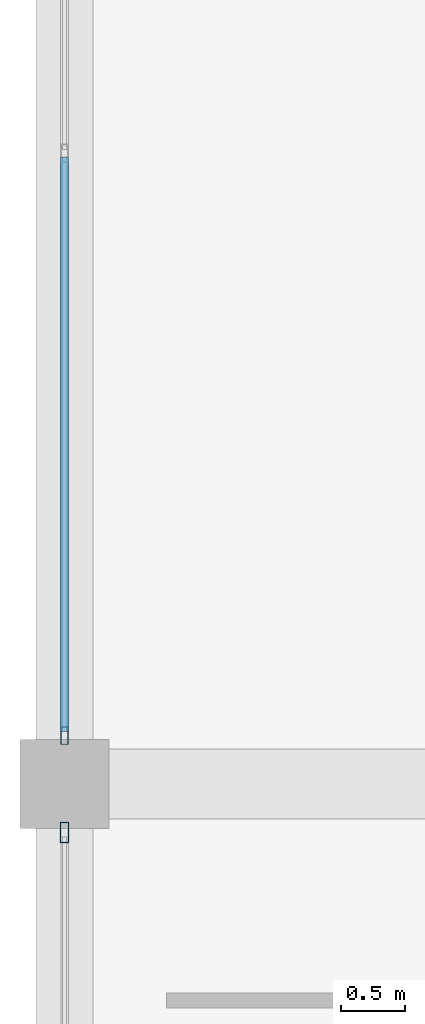
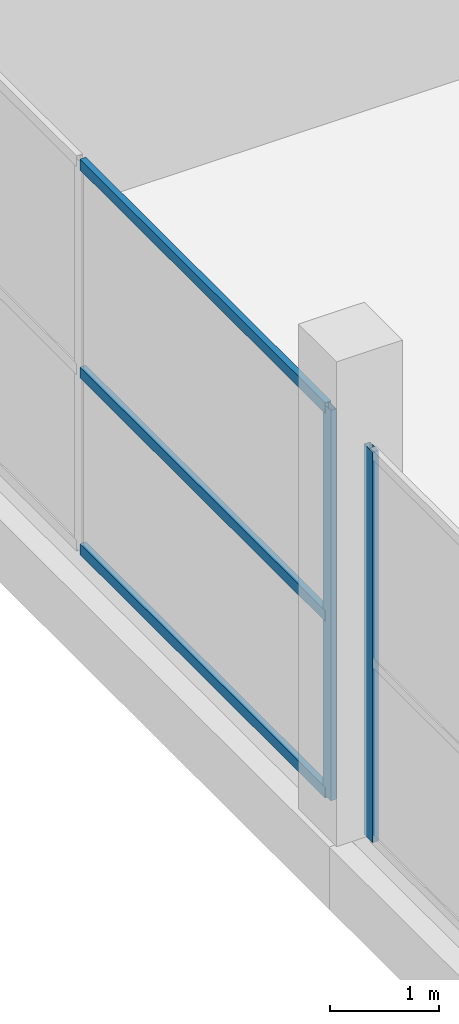
# One storey, part 25 of 72: 5 members, 2 elements without a shape of their own.
"""IFC4 building model written with IfcOpenShell, lengths in metres."""

from ifc_helpers import new_model, si_unit, direction, frame, origin, origin_2d, place, context, subcontext, project, spatial, hollow_rectangle, extrude, material, layer, layer_set, material_profile, profile_set, type_object, element, aggregate, save


model = new_model("IFC4")

# Units and contexts
model_context = context("Model", 3, precision=1e-05, world=origin(), true_north=direction((0.0, 1.0)))
body_context = subcontext(model_context, "Body", "Model", "MODEL_VIEW")
ifc_project = project(units=[si_unit("LENGTHUNIT", "METRE"), si_unit("AREAUNIT", "SQUARE_METRE"), si_unit("VOLUMEUNIT", "CUBIC_METRE"), si_unit("PLANEANGLEUNIT", "RADIAN"), si_unit("MASSUNIT", "GRAM", prefix="KILO")], contexts=[model_context])

# Site, building, storey
site_placement = place(None, origin())
site = spatial("IfcSite", under=ifc_project, at=site_placement, CompositionType="ELEMENT")
building_placement = place(site_placement, origin())
building = spatial("IfcBuilding", under=site, at=building_placement, Name="Sillaruma Civic Art Gallery", CompositionType="ELEMENT")
storey_placement = place(building_placement, frame((0.0, 0.0, 10.8798828125)))
storey = spatial("IfcBuildingStorey", under=building, at=storey_placement, Name="L02", CompositionType="ELEMENT", Elevation=10.8798828125)

# Curtain wall, member
ifc_material = material(Name="Thermally Broken Extruded Aluminium 6063-T6", Category="aluminium")
ifc_layer_1 = layer(ifc_material, 0.139892578125, Name="Thermally Broken Extruded Aluminium 6063-T6")
ifc_layer_set_1 = layer_set([ifc_layer_1], Name="Thermally Broken Extruded Aluminium 6063-T6")
curtain_wall_type_1 = type_object("IfcCurtainWallType", Name="CW-UNI-11", PredefinedType="NOTDEFINED", material=ifc_layer_set_1)
curtain_wall_1_placement = place(storey_placement, origin())
curtain_wall_1 = element("IfcCurtainWall", 1, at=curtain_wall_1_placement, inside=storey, type_object=curtain_wall_type_1, Name="Unitised Curtain Wall CW-11 (CW-L02-WSTR-4)", PredefinedType="NOTDEFINED")
ifc_material_profile_1 = material_profile(ifc_material, hollow_rectangle(XDim=0.06005859375, YDim=0.139892578125, WallThickness=0.00341796875, at=origin_2d()), Name="CWM60x140")
ifc_profile_set_1 = profile_set([ifc_material_profile_1], Name="Thermally Broken Extruded Aluminium 6063-T6")
member_type_1 = type_object("IfcMemberType", Name="MEM-MUL-CWM60x140", PredefinedType="MULLION", material=ifc_profile_set_1)
member_1_placement = place(storey_placement, frame((0.0, 109.280029296875, 0.0), z_axis=(0.0, 0.0, 1.0), x_axis=(-1.0, 0.0, 0.0)))
member_1 = element("IfcMember", 2, at=member_1_placement, type_object=member_type_1, Name="CW-11 mullion 1", PredefinedType="MULLION", context=body_context, shape_type="SweptSolid", body=[
    extrude(hollow_rectangle(XDim=0.06005859375, YDim=0.139892578125, WallThickness=0.00341796875, at=origin_2d()), origin(), (0.0, 0.0, 1.0), 4.380126953125),
])

ifc_layer_2 = layer(ifc_material, 0.159912109375, Name="Thermally Broken Extruded Aluminium 6063-T6")
ifc_layer_set_2 = layer_set([ifc_layer_2], Name="Thermally Broken Extruded Aluminium 6063-T6")
curtain_wall_type_2 = type_object("IfcCurtainWallType", Name="CW-UNI-10", PredefinedType="NOTDEFINED", material=ifc_layer_set_2)
curtain_wall_2_placement = place(storey_placement, origin())
curtain_wall_2 = element("IfcCurtainWall", 3, at=curtain_wall_2_placement, inside=storey, type_object=curtain_wall_type_2, Name="Unitised Curtain Wall CW-10 (CW-L02-WSTR-3)", PredefinedType="NOTDEFINED")
ifc_material_profile_2 = material_profile(ifc_material, hollow_rectangle(XDim=0.06494140625, YDim=0.159912109375, WallThickness=0.00390625, at=origin_2d()), Name="CWM65x160")
ifc_profile_set_2 = profile_set([ifc_material_profile_2], Name="Thermally Broken Extruded Aluminium 6063-T6")
member_type_2 = type_object("IfcMemberType", Name="MEM-MUL-CWM65x160", PredefinedType="MULLION", material=ifc_profile_set_2)
member_2_placement = place(storey_placement, frame((0.0, 108.517578125, 0.0), z_axis=(0.0, 0.0, 1.0), x_axis=(-1.0, 0.0, 0.0)))
member_2 = element("IfcMember", 4, at=member_2_placement, type_object=member_type_2, Name="CW-10 mullion 3", PredefinedType="MULLION", context=body_context, shape_type="SweptSolid", body=[
    extrude(hollow_rectangle(XDim=0.06494140625, YDim=0.159912109375, WallThickness=0.00390625, at=origin_2d()), origin(), (0.0, 0.0, 1.0), 4.380126953125),
])
aggregate(curtain_wall_2, [member_2])

# Member
ifc_material_profile_3 = material_profile(ifc_material, hollow_rectangle(XDim=0.06494140625, YDim=0.1201171875, WallThickness=0.00341796875, at=origin_2d()), Name="CWT65x120")
ifc_profile_set_3 = profile_set([ifc_material_profile_3], Name="Thermally Broken Extruded Aluminium 6063-T6")
member_type_3 = type_object("IfcMemberType", Name="MEM-TRN-CWT65x120", PredefinedType="USERDEFINED", material=ifc_profile_set_3)
member_3_placement = place(storey_placement, frame((0.0, 109.31005859375, 0.03271484375), z_axis=(0.0, 1.0, 0.0), x_axis=(-1.0, 0.0, 0.0)))
member_3 = element("IfcMember", 5, at=member_3_placement, type_object=member_type_3, Name="CW-11 transom 1.1", ObjectType="TRANSOM", PredefinedType="USERDEFINED", context=body_context, shape_type="SweptSolid", body=[
    extrude(hollow_rectangle(XDim=0.06494140625, YDim=0.1201171875, WallThickness=0.00341796875, at=origin_2d()), origin(), (0.0, 0.0, 1.0), 4.510009765625),
])

member_4_placement = place(storey_placement, frame((0.0, 109.31005859375, 2.014892578125), z_axis=(0.0, 1.0, 0.0), x_axis=(-1.0, 0.0, 0.0)))
member_4 = element("IfcMember", 6, at=member_4_placement, type_object=member_type_3, Name="CW-11 transom 1.2", ObjectType="TRANSOM", PredefinedType="USERDEFINED", context=body_context, shape_type="SweptSolid", body=[
    extrude(hollow_rectangle(XDim=0.06494140625, YDim=0.1201171875, WallThickness=0.00341796875, at=origin_2d()), origin(), (0.0, 0.0, 1.0), 4.510009765625),
])

member_5_placement = place(storey_placement, frame((0.0, 109.31005859375, 4.34765625), z_axis=(0.0, 1.0, 0.0), x_axis=(-1.0, 0.0, 0.0)))
member_5 = element("IfcMember", 7, at=member_5_placement, type_object=member_type_3, Name="CW-11 transom 1.3", ObjectType="TRANSOM", PredefinedType="USERDEFINED", context=body_context, shape_type="SweptSolid", body=[
    extrude(hollow_rectangle(XDim=0.06494140625, YDim=0.1201171875, WallThickness=0.00341796875, at=origin_2d()), origin(), (0.0, 0.0, 1.0), 4.510009765625),
])

aggregate(curtain_wall_1, [member_1, member_3, member_4, member_5])

save(model, "model.ifc")
